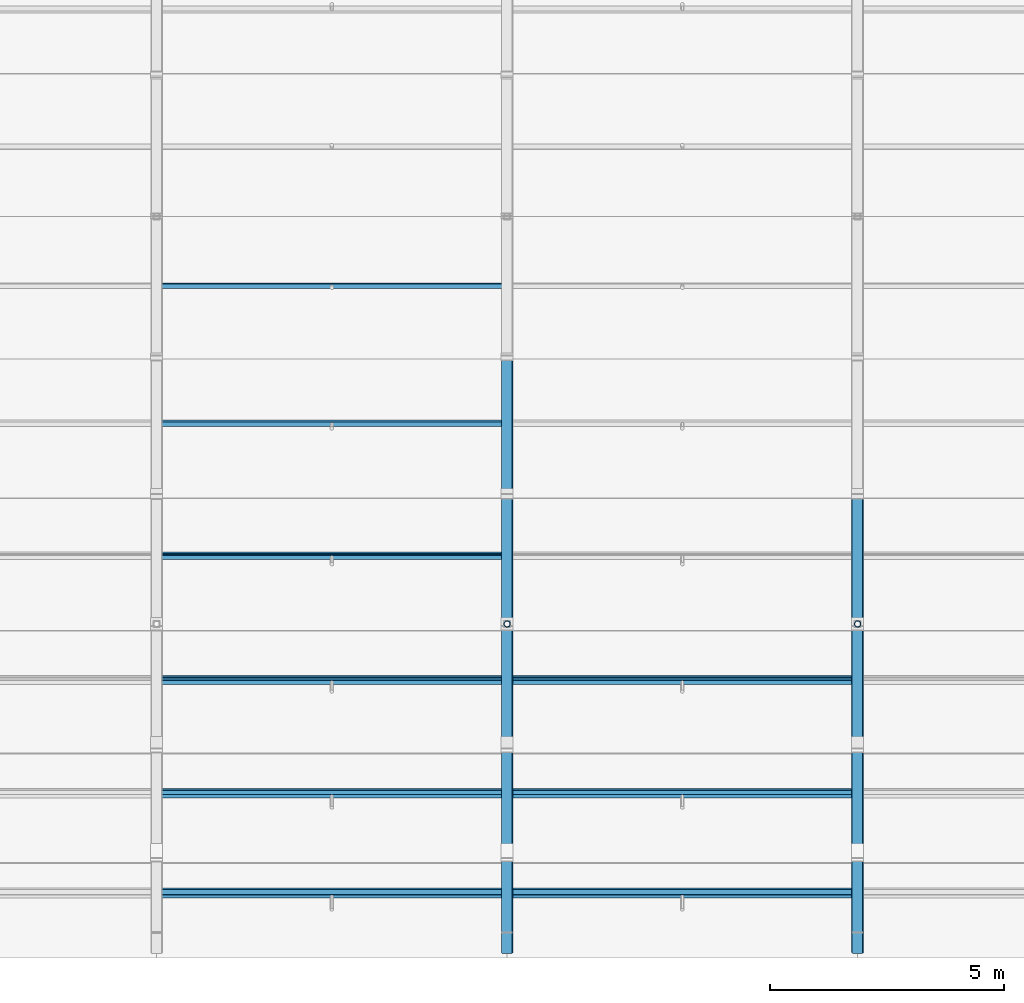
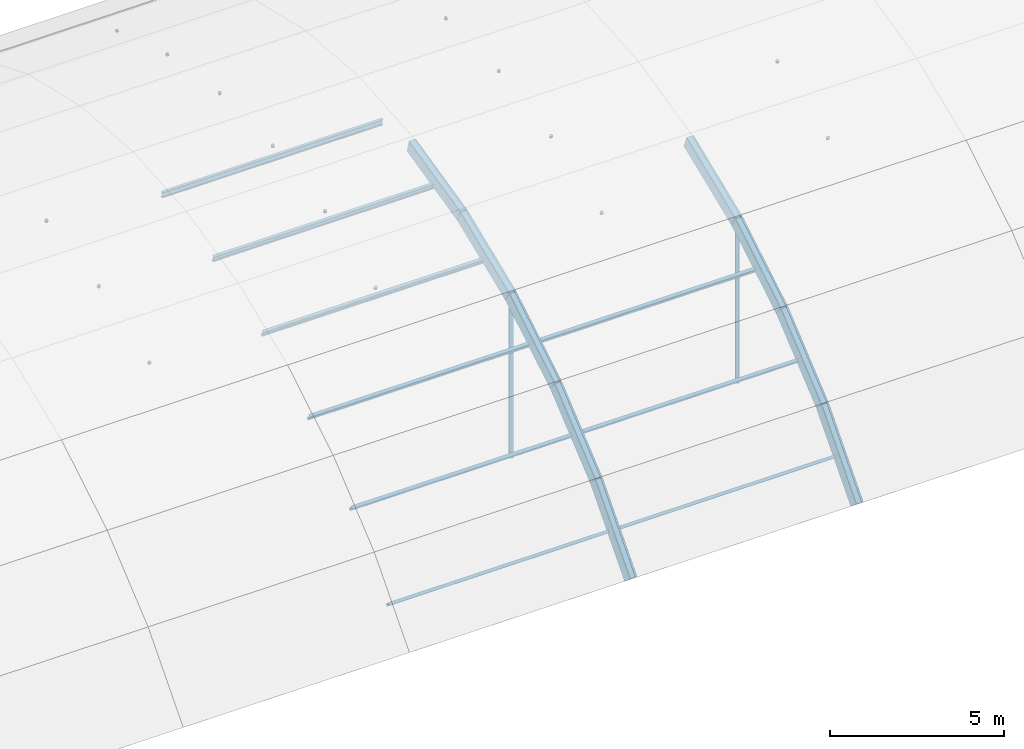
# One storey, part 19 of 77: 11 members, 9 beams.
"""IFC4 building model written with IfcOpenShell, lengths in metres."""

from ifc_helpers import new_model, si_unit, direction, frame, origin, origin_2d, place, context, subcontext, project, spatial, hollow_rectangle, hollow_circle, i_section, extrude, material, material_profile, profile_set, type_object, element, save


model = new_model("IFC4")

# Units and contexts
model_context = context("Model", 3, precision=1e-05, world=origin(), true_north=direction((0.0, 1.0)))
body_context = subcontext(model_context, "Body", "Model", "MODEL_VIEW")
ifc_project = project(units=[si_unit("LENGTHUNIT", "METRE"), si_unit("AREAUNIT", "SQUARE_METRE"), si_unit("VOLUMEUNIT", "CUBIC_METRE"), si_unit("PLANEANGLEUNIT", "RADIAN"), si_unit("MASSUNIT", "GRAM", prefix="KILO")], contexts=[model_context])

# Site, building, storey
site_placement = place(None, origin())
site = spatial("IfcSite", under=ifc_project, at=site_placement, CompositionType="ELEMENT")
building_placement = place(site_placement, origin())
building = spatial("IfcBuilding", under=site, at=building_placement, Name="Yukiwa Park Conservatory and Herbarium", CompositionType="ELEMENT")
storey_placement = place(building_placement, frame((0.0, 0.0, 13.199951171875)))
storey = spatial("IfcBuildingStorey", under=building, at=storey_placement, Name="L03", CompositionType="ELEMENT", Elevation=13.199951171875)

# Beams
ifc_material_1 = material(Name="Steel Q355D", Category="steel")
ifc_material_profile_1 = material_profile(ifc_material_1, hollow_rectangle(XDim=0.25, YDim=0.449951171875, WallThickness=0.013916015625, InnerFilletRadius=0.013916015625, OuterFilletRadius=0.028076171875, at=origin_2d()), Name="RHS 450x250x14")
ifc_profile_set_1 = profile_set([ifc_material_profile_1], Name="Steel Q355D")
beam_type = type_object("IfcBeamType", Name="BM-VLT-ARCH450", PredefinedType="BEAM", material=ifc_profile_set_1)
beam_1_placement = place(storey_placement, frame((37.5, 0.0, -4.199951171875), z_axis=(0.0, 0.659978721293, 0.751284292023), x_axis=(-1.0, 0.0, 0.0)))
element("IfcBeam", 1, at=beam_1_placement, inside=storey, type_object=beam_type, Name="Conservatory barrel vault arch rib 6 chord 1", PredefinedType="BEAM", context=body_context, shape_type="SweptSolid", body=[
    extrude(hollow_rectangle(XDim=0.25, YDim=0.449951171875, WallThickness=0.013916015625, InnerFilletRadius=0.013916015625, OuterFilletRadius=0.028076171875, at=origin_2d()), origin(), (0.0, 0.0, 1.0), 3.0107421875),
])
beam_2_placement = place(storey_placement, frame((37.5, 1.987060546875, -1.93798828125), z_axis=(0.0, 0.767749110539, 0.640750578047), x_axis=(-1.0, 0.0, 0.0)))
element("IfcBeam", 2, at=beam_2_placement, inside=storey, type_object=beam_type, Name="Conservatory barrel vault arch rib 6 chord 2", PredefinedType="BEAM", context=body_context, shape_type="SweptSolid", body=[
    extrude(hollow_rectangle(XDim=0.25, YDim=0.449951171875, WallThickness=0.013916015625, InnerFilletRadius=0.013916015625, OuterFilletRadius=0.028076171875, at=origin_2d()), origin(), (0.0, 0.0, 1.0), 3.010498046875),
])
for number, where, z_axis, x_axis, name in (
    (3, (37.5, 4.29833984375, -0.009033203125), (0.0, 0.857249569488, 0.514901131881), (-1.0, 0.0, 0.0), "Conservatory barrel vault arch rib 6 chord 3"),
    (4, (37.5, 6.87939453125, 1.541259765625), (0.0, 0.926257021224, 0.376892465609), (-1.0, 0.0, 0.0), "Conservatory barrel vault arch rib 6 chord 4"),
    (5, (37.5, 9.668212890625, 2.676025390625), (0.0, 0.973254208946, 0.22973080936), (-1.0, 0.0, 0.0), "Conservatory barrel vault arch rib 6 chord 5"),
    (6, (45.0, 0.0, -4.199951171875), (0.0, 0.659978721293, 0.751284292023), (-1.0, 0.0, 0.0), "Conservatory barrel vault arch rib 7 chord 1"),
):
    element("IfcBeam", number, at=place(storey_placement, frame(where, z_axis=z_axis, x_axis=x_axis)), inside=storey, type_object=beam_type, Name=name, PredefinedType="BEAM", context=body_context, shape_type="SweptSolid", body=[
        extrude(hollow_rectangle(XDim=0.25, YDim=0.449951171875, WallThickness=0.013916015625, InnerFilletRadius=0.013916015625, OuterFilletRadius=0.028076171875, at=origin_2d()), origin(), (0.0, 0.0, 1.0), 3.0107421875),
    ])
beam_3_placement = place(storey_placement, frame((45.0, 1.987060546875, -1.93798828125), z_axis=(0.0, 0.767749110539, 0.640750578047), x_axis=(-1.0, 0.0, 0.0)))
element("IfcBeam", 7, at=beam_3_placement, inside=storey, type_object=beam_type, Name="Conservatory barrel vault arch rib 7 chord 2", PredefinedType="BEAM", context=body_context, shape_type="SweptSolid", body=[
    extrude(hollow_rectangle(XDim=0.25, YDim=0.449951171875, WallThickness=0.013916015625, InnerFilletRadius=0.013916015625, OuterFilletRadius=0.028076171875, at=origin_2d()), origin(), (0.0, 0.0, 1.0), 3.010498046875),
])
for number, where, z_axis, x_axis, name in (
    (8, (45.0, 4.29833984375, -0.009033203125), (0.0, 0.857249569488, 0.514901131881), (-1.0, 0.0, 0.0), "Conservatory barrel vault arch rib 7 chord 3"),
    (9, (45.0, 6.87939453125, 1.541259765625), (0.0, 0.926257021224, 0.376892465609), (-1.0, 0.0, 0.0), "Conservatory barrel vault arch rib 7 chord 4"),
):
    element("IfcBeam", number, at=place(storey_placement, frame(where, z_axis=z_axis, x_axis=x_axis)), inside=storey, type_object=beam_type, Name=name, PredefinedType="BEAM", context=body_context, shape_type="SweptSolid", body=[
        extrude(hollow_rectangle(XDim=0.25, YDim=0.449951171875, WallThickness=0.013916015625, InnerFilletRadius=0.013916015625, OuterFilletRadius=0.028076171875, at=origin_2d()), origin(), (0.0, 0.0, 1.0), 3.0107421875),
    ])

# Members
ifc_material_2 = material(Name="Steel Q355D", Category="steel")
ifc_material_profile_2 = material_profile(ifc_material_2, i_section(OverallWidth=0.10009765625, OverallDepth=0.199951171875, WebThickness=0.005615234375, FlangeThickness=0.008056640625, FilletRadius=0.010986328125, at=origin_2d()), Name="HN 200x100x5.5x8")
ifc_profile_set_2 = profile_set([ifc_material_profile_2], Name="Steel Q355D")
member_type_1 = type_object("IfcMemberType", Name="MB-VLT-PURL200", PredefinedType="PURLIN", material=ifc_profile_set_2)
for number, where, z_axis, x_axis, name in (
    (10, (30.0849609375, 1.125732421875, -3.18505859375), (1.0, 0.0, 0.0), (0.0, 0.659967575996, 0.751294082656), "Conservatory vault longitudinal purlin 5.1"),
    (11, (30.0849609375, 3.25537109375, -1.108642578125), (1.0, 0.0, 0.0), (0.0, 0.767751470285, 0.640747750582), "Conservatory vault longitudinal purlin 5.2"),
    (12, (30.0849609375, 5.679443359375, 0.615234375), (1.0, 0.0, 0.0), (0.0, 0.857233812968, 0.514927363717), "Conservatory vault longitudinal purlin 5.3"),
    (13, (30.0849609375, 8.340087890625, 1.945556640625), (1.0, 0.0, 0.0), (0.0, 0.926282194237, 0.376830594086), "Conservatory vault longitudinal purlin 5.4"),
    (14, (30.0849609375, 11.173583984375, 2.850341796875), (1.0, 0.0, 0.0), (0.0, 0.973249092076, 0.22975248589), "Conservatory vault longitudinal purlin 5.5"),
    (15, (30.0849609375, 14.11279296875, 3.308349609375), (1.0, 0.0, 0.0), (0.0, 0.997015814894, 0.077197570239), "Conservatory vault longitudinal purlin 5.6"),
    (16, (37.5849609375, 1.125732421875, -3.18505859375), (1.0, 0.0, 0.0), (0.0, 0.659967575996, 0.751294082656), "Conservatory vault longitudinal purlin 6.1"),
    (17, (37.5849609375, 3.25537109375, -1.108642578125), (1.0, 0.0, 0.0), (0.0, 0.767751470285, 0.640747750582), "Conservatory vault longitudinal purlin 6.2"),
    (18, (37.5849609375, 5.679443359375, 0.615234375), (1.0, 0.0, 0.0), (0.0, 0.857233812968, 0.514927363717), "Conservatory vault longitudinal purlin 6.3"),
):
    element("IfcMember", number, at=place(storey_placement, frame(where, z_axis=z_axis, x_axis=x_axis)), inside=storey, type_object=member_type_1, Name=name, PredefinedType="PURLIN", context=body_context, shape_type="SweptSolid", body=[
        extrude(i_section(OverallWidth=0.10009765625, OverallDepth=0.199951171875, WebThickness=0.005615234375, FlangeThickness=0.008056640625, FilletRadius=0.010986328125, at=origin_2d()), origin(), (0.0, 0.0, 1.0), 7.330078125),
    ])
ifc_material_3 = material(Name="Steel Q355D", Category="steel")
ifc_material_profile_3 = material_profile(ifc_material_3, hollow_circle(Radius=0.06982421875, WallThickness=0.008056640625, at=origin_2d()), Name="CHS 139.7x8")
ifc_profile_set_3 = profile_set([ifc_material_profile_3], Name="Steel Q355D")
member_type_2 = type_object("IfcMemberType", Name="MB-VLT-STRUT140", PredefinedType="STRUT", material=ifc_profile_set_3)
for number, where, z_axis, x_axis, name in (
    (19, (37.5, 6.87939453125, -4.095947265625), (0.0, 0.0, 1.0), (1.0, 0.0, 0.0), "Conservatory vault bowstring hanger 6.3"),
    (20, (45.0, 6.87939453125, -4.095947265625), (0.0, 0.0, 1.0), (1.0, 0.0, 0.0), "Conservatory vault bowstring hanger 7.3"),
):
    element("IfcMember", number, at=place(storey_placement, frame(where, z_axis=z_axis, x_axis=x_axis)), inside=storey, type_object=member_type_2, Name=name, PredefinedType="STRUT", context=body_context, shape_type="SweptSolid", body=[
        extrude(hollow_circle(Radius=0.06982421875, WallThickness=0.008056640625, at=origin_2d()), origin(), (0.0, 0.0, 1.0), 5.42236328125),
    ])

save(model, "model.ifc")
